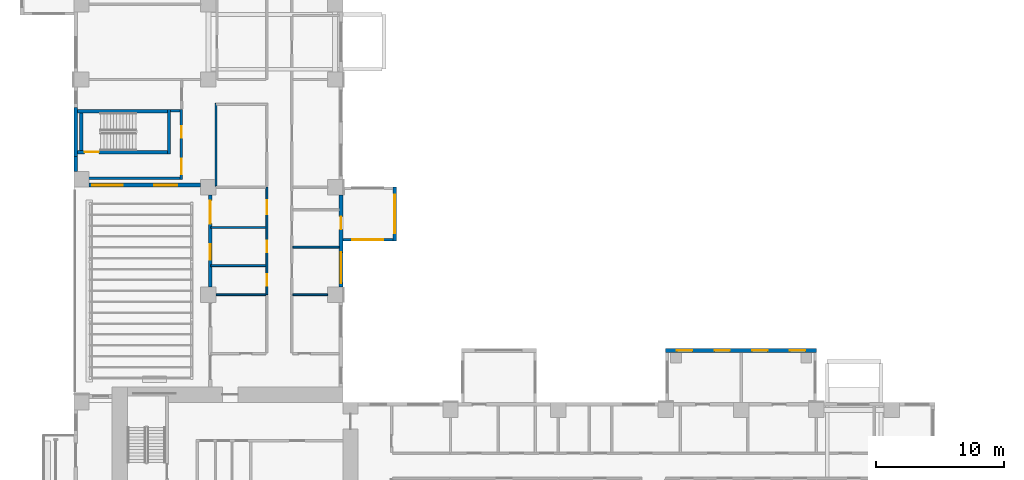
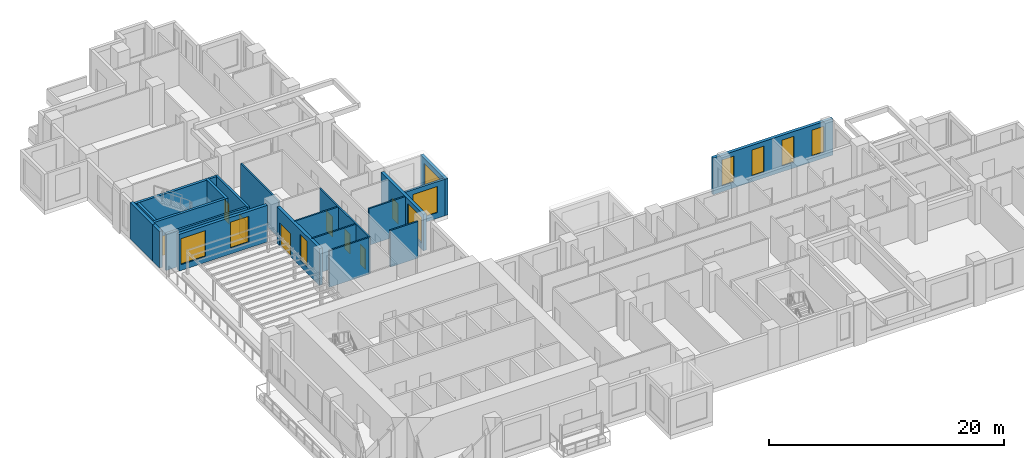
# One storey, part 8 of 17: 22 walls, 10 windows, 8 doors, 18 openings.
"""IFC4 building model written with IfcOpenShell, lengths in metres."""

from ifc_helpers import new_model, si_unit, direction, frame, frame_2d, origin, place, context, subcontext, project, spatial, rectangle, extrude, source, transform, mapped, material, layer, layer_set, type_object, element, fill, save


model = new_model("IFC4")

# Units and contexts
model_context = context("Model", 3, precision=1e-05, world=origin(), true_north=direction((0.0, 1.0)))
body_context = subcontext(model_context, "Body", "Model", "MODEL_VIEW")
ifc_project = project(units=[si_unit("LENGTHUNIT", "METRE"), si_unit("AREAUNIT", "SQUARE_METRE"), si_unit("VOLUMEUNIT", "CUBIC_METRE"), si_unit("PLANEANGLEUNIT", "RADIAN"), si_unit("MASSUNIT", "GRAM", prefix="KILO")], contexts=[model_context])

# Site, building, storey
site_placement = place(None, origin())
site = spatial("IfcSite", under=ifc_project, at=site_placement, CompositionType="ELEMENT")
building_placement = place(site_placement, origin())
building = spatial("IfcBuilding", under=site, at=building_placement, Name="Aurelian Terraces", CompositionType="ELEMENT")
storey_placement = place(building_placement, frame((0.0, 0.0, 69.9)))
storey = spatial("IfcBuildingStorey", under=building, at=storey_placement, Name="L14", CompositionType="ELEMENT", Elevation=69.9)

# Wall, openings, window, door
ifc_material_1 = material(Name="Terracotta rainscreen cladding", Category="masonry")
ifc_layer_1 = layer(ifc_material_1, 0.3)
ifc_layer_set_1 = layer_set([ifc_layer_1], Name="EW-300")
wall_type_1 = type_object("IfcWallType", Name="EW-300", PredefinedType="STANDARD", material=ifc_layer_set_1)
shared_shape_1 = source(origin(), body_context, "Body", "SweptSolid", [
    extrude(rectangle(XDim=7.2, YDim=0.3, at=frame_2d((3.6, 0.0))), origin(), (0.0, 0.0, 1.0), 3.8),
])
wall_1_placement = place(storey_placement, frame((20.85, 30.0, 0.0), z_axis=(0.0, 0.0, 1.0), x_axis=(0.0, 1.0, 0.0)))
wall_1 = element("IfcWall", 1, at=wall_1_placement, inside=storey, type_object=wall_type_1, Name="External wall L14 F08.23", PredefinedType="STANDARD", context=body_context, shape_type="MappedRepresentation", body=[
    mapped(shared_shape_1, transform((0.0, 0.0, 0.0), scale=1.0)),
])
shared_shape_2 = source(origin(), body_context, "Body", "SweptSolid", [
    extrude(rectangle(XDim=2.4, YDim=2.7, at=frame_2d((1.2, 1.35))), frame((0.0, 0.16, 0.0), z_axis=(0.0, -1.0, 0.0), x_axis=(1.0, 0.0, 0.0)), (0.0, 0.0, 1.0), 0.32),
])
opening_1_placement = place(wall_1_placement, frame((0.3, 0.0, 0.6)))
opening_1 = element("IfcOpeningElement", 2, at=opening_1_placement, cuts=wall_1, Name="Opening W2427", PredefinedType="OPENING", context=body_context, shape_type="MappedRepresentation", body=[
    mapped(shared_shape_2, transform((0.0, 0.0, 0.0), scale=1.0)),
])
shared_shape_3 = source(origin(), body_context, "Body", "SweptSolid", [
    extrude(rectangle(XDim=1.0, YDim=2.1, at=frame_2d((0.5, 1.05))), frame((0.0, 0.16, 0.0), z_axis=(0.0, -1.0, 0.0), x_axis=(1.0, 0.0, 0.0)), (0.0, 0.0, 1.0), 0.32),
])
opening_2_placement = place(wall_1_placement, frame((4.5, 0.0, 0.0)))
opening_2 = element("IfcOpeningElement", 3, at=opening_2_placement, cuts=wall_1, Name="Opening 814003", PredefinedType="OPENING", context=body_context, shape_type="MappedRepresentation", body=[
    mapped(shared_shape_3, transform((0.0, 0.0, 0.0), scale=1.0)),
])
ifc_material_2 = material(Name="Clear glazing", Category="glass")
window_type_1 = type_object("IfcWindowType", Name="W-2400x2700", PartitioningType="SINGLE_PANEL", PredefinedType="WINDOW", material=ifc_material_2)
shared_shape_4 = source(origin(), body_context, "Body", "SweptSolid", [
    extrude(rectangle(XDim=2.4, YDim=2.7, at=frame_2d((1.2, 1.35))), frame((0.0, 0.03, 0.0), z_axis=(0.0, -1.0, 0.0), x_axis=(1.0, 0.0, 0.0)), (0.0, 0.0, 1.0), 0.06),
])
window_1_placement = place(opening_1_placement, origin())
window_1 = element("IfcWindow", 4, at=window_1_placement, inside=storey, type_object=window_type_1, Name="Window L14 L14-F08-23-0", OverallHeight=2.7, OverallWidth=2.4, PartitioningType="SINGLE_PANEL", PredefinedType="WINDOW", context=body_context, shape_type="MappedRepresentation", body=[
    mapped(shared_shape_4, transform((0.0, 0.0, 0.0), scale=1.0)),
])
fill(opening_1, window_1)
ifc_material_3 = material(Name="Timber door leaf", Category="wood")
door_type_1 = type_object("IfcDoorType", Name="Room door 1000x2100 left", OperationType="SINGLE_SWING_LEFT", PredefinedType="DOOR", material=ifc_material_3)
shared_shape_5 = source(origin(), body_context, "Body", "SweptSolid", [
    extrude(rectangle(XDim=1.0, YDim=2.1, at=frame_2d((0.5, 1.05))), frame((0.0, 0.025, 0.0), z_axis=(0.0, -1.0, 0.0), x_axis=(1.0, 0.0, 0.0)), (0.0, 0.0, 1.0), 0.05),
])
door_1_placement = place(opening_2_placement, origin())
door_1 = element("IfcDoor", 5, at=door_1_placement, inside=storey, type_object=door_type_1, Name="Door 814003", OperationType="SINGLE_SWING_LEFT", OverallHeight=2.1, OverallWidth=1.0, PredefinedType="DOOR", context=body_context, shape_type="MappedRepresentation", body=[
    mapped(shared_shape_5, transform((0.0, 0.0, 0.0), scale=1.0)),
])
fill(opening_2, door_1)

# Wall, openings, door, window
wall_2_placement = place(storey_placement, frame((10.65, 37.2, 0.0), z_axis=(0.0, 0.0, 1.0), x_axis=(0.0, -1.0, 0.0)))
wall_2 = element("IfcWall", 6, at=wall_2_placement, inside=storey, type_object=wall_type_1, Name="External wall L14 F16.38", PredefinedType="STANDARD", context=body_context, shape_type="MappedRepresentation", body=[
    mapped(shared_shape_1, transform((0.0, 0.0, 0.0), scale=1.0)),
])
shared_shape_6 = source(origin(), body_context, "Body", "SweptSolid", [
    extrude(rectangle(XDim=1.8, YDim=2.4, at=frame_2d((0.9, 1.2))), frame((0.0, 0.16, 0.0), z_axis=(0.0, -1.0, 0.0), x_axis=(1.0, 0.0, 0.0)), (0.0, 0.0, 1.0), 0.32),
])
opening_3_placement = place(wall_2_placement, frame((0.45, 0.0, 0.0)))
opening_3 = element("IfcOpeningElement", 7, at=opening_3_placement, cuts=wall_2, Name="Opening 81404", PredefinedType="OPENING", context=body_context, shape_type="MappedRepresentation", body=[
    mapped(shared_shape_6, transform((0.0, 0.0, 0.0), scale=1.0)),
])
shared_shape_7 = source(origin(), body_context, "Body", "SweptSolid", [
    extrude(rectangle(XDim=1.2, YDim=2.7, at=frame_2d((0.6, 1.35))), frame((0.0, 0.16, 0.0), z_axis=(0.0, -1.0, 0.0), x_axis=(1.0, 0.0, 0.0)), (0.0, 0.0, 1.0), 0.32),
])
opening_4_placement = place(wall_2_placement, frame((3.8615, 0.0, 0.6)))
opening_4 = element("IfcOpeningElement", 8, at=opening_4_placement, cuts=wall_2, Name="Opening W1227", PredefinedType="OPENING", context=body_context, shape_type="MappedRepresentation", body=[
    mapped(shared_shape_7, transform((0.0, 0.0, 0.0), scale=1.0)),
])
door_type_2 = type_object("IfcDoorType", Name="BD-1800x2400", OperationType="SLIDING_TO_LEFT", PredefinedType="DOOR", material=ifc_material_2)
shared_shape_8 = source(origin(), body_context, "Body", "SweptSolid", [
    extrude(rectangle(XDim=1.8, YDim=2.4, at=frame_2d((0.9, 1.2))), frame((0.0, 0.025, 0.0), z_axis=(0.0, -1.0, 0.0), x_axis=(1.0, 0.0, 0.0)), (0.0, 0.0, 1.0), 0.05),
])
door_2_placement = place(opening_3_placement, origin())
door_2 = element("IfcDoor", 9, at=door_2_placement, inside=storey, type_object=door_type_2, Name="Terrace door L14 L14-F16-38.1", OperationType="SLIDING_TO_LEFT", OverallHeight=2.4, OverallWidth=1.8, PredefinedType="DOOR", context=body_context, shape_type="MappedRepresentation", body=[
    mapped(shared_shape_8, transform((0.0, 0.0, 0.0), scale=1.0)),
])
fill(opening_3, door_2)
window_type_2 = type_object("IfcWindowType", Name="W-1200x2700", PartitioningType="SINGLE_PANEL", PredefinedType="WINDOW", material=ifc_material_2)
shared_shape_9 = source(origin(), body_context, "Body", "SweptSolid", [
    extrude(rectangle(XDim=1.2, YDim=2.7, at=frame_2d((0.6, 1.35))), frame((0.0, 0.03, 0.0), z_axis=(0.0, -1.0, 0.0), x_axis=(1.0, 0.0, 0.0)), (0.0, 0.0, 1.0), 0.06),
])
window_2_placement = place(opening_4_placement, origin())
window_2 = element("IfcWindow", 10, at=window_2_placement, inside=storey, type_object=window_type_2, Name="Window L14 L14-F16-38-G0-30", OverallHeight=2.7, OverallWidth=1.2, PartitioningType="SINGLE_PANEL", PredefinedType="WINDOW", context=body_context, shape_type="MappedRepresentation", body=[
    mapped(shared_shape_9, transform((0.0, 0.0, 0.0), scale=1.0)),
])
fill(opening_4, window_2)

# Walls
shared_shape_10 = source(origin(), body_context, "Body", "SweptSolid", [
    extrude(rectangle(XDim=1.2, YDim=0.3, at=frame_2d((0.6, 0.0))), origin(), (0.0, 0.0, 1.0), 3.8),
])
wall_3_placement = place(storey_placement, frame((0.15, 40.2, 0.0), z_axis=(0.0, 0.0, 1.0), x_axis=(0.0, -1.0, 0.0)))
element("IfcWall", 11, at=wall_3_placement, inside=storey, type_object=wall_type_1, Name="External wall L14 F14.36", PredefinedType="STANDARD", context=body_context, shape_type="MappedRepresentation", body=[
    mapped(shared_shape_10, transform((0.0, 0.0, 0.0), scale=1.0)),
])
ifc_material_4 = material(Name="Concrete fc' 40 MPa", Category="concrete")
ifc_layer_2 = layer(ifc_material_4, 0.3)
ifc_layer_set_2 = layer_set([ifc_layer_2], Name="STAIR BAY WALL 300")
wall_type_2 = type_object("IfcWallType", Name="STAIR BAY WALL 300", PredefinedType="SOLIDWALL", material=ifc_layer_set_2)
shared_shape_11 = source(origin(), body_context, "Body", "SweptSolid", [
    extrude(rectangle(XDim=3.8, YDim=0.3, at=frame_2d((1.9, 0.0))), origin(), (0.0, 0.0, 1.0), 3.8),
])
wall_4_placement = place(storey_placement, frame((0.15, 44.0, 0.0), z_axis=(0.0, 0.0, 1.0), x_axis=(0.0, -1.0, 0.0)))
element("IfcWall", 12, at=wall_4_placement, inside=storey, type_object=wall_type_2, Name="Stair bay wall L14 F14.36", PredefinedType="SOLIDWALL", context=body_context, shape_type="MappedRepresentation", body=[
    mapped(shared_shape_11, transform((0.0, 0.0, 0.0), scale=1.0)),
])

# Wall, opening, window
ifc_layer_3 = layer(ifc_material_4, 0.2)
ifc_layer_set_3 = layer_set([ifc_layer_3], Name="BOX BEARING WALL 200")
wall_type_3 = type_object("IfcWallType", Name="BOX BEARING WALL 200", PredefinedType="SOLIDWALL", material=ifc_layer_set_3)
shared_shape_12 = source(origin(), body_context, "Body", "SweptSolid", [
    extrude(rectangle(XDim=3.9, YDim=0.2, at=frame_2d((1.95, 0.0))), origin(), (0.0, 0.0, 1.0), 3.8),
])
wall_5_placement = place(storey_placement, frame((21.0, 33.7, 0.0), z_axis=(0.0, 0.0, 1.0), x_axis=(1.0, 0.0, 0.0)))
wall_5 = element("IfcWall", 13, at=wall_5_placement, inside=storey, type_object=wall_type_3, Name="Box return L14 J14.1", PredefinedType="SOLIDWALL", context=body_context, shape_type="MappedRepresentation", body=[
    mapped(shared_shape_12, transform((0.0, 0.0, 0.0), scale=1.0)),
])
shared_shape_13 = source(origin(), body_context, "Body", "SweptSolid", [
    extrude(rectangle(XDim=2.4, YDim=2.7, at=frame_2d((1.2, 1.35))), frame((0.0, 0.11, 0.0), z_axis=(0.0, -1.0, 0.0), x_axis=(1.0, 0.0, 0.0)), (0.0, 0.0, 1.0), 0.22),
])
opening_5_placement = place(wall_5_placement, frame((0.75, 0.0, 0.6)))
opening_5 = element("IfcOpeningElement", 14, at=opening_5_placement, cuts=wall_5, Name="Opening W2427", PredefinedType="OPENING", context=body_context, shape_type="MappedRepresentation", body=[
    mapped(shared_shape_13, transform((0.0, 0.0, 0.0), scale=1.0)),
])
window_3_placement = place(opening_5_placement, origin())
window_3 = element("IfcWindow", 15, at=window_3_placement, inside=storey, type_object=window_type_1, Name="Window L14 J14-S1", OverallHeight=2.7, OverallWidth=2.4, PartitioningType="SINGLE_PANEL", PredefinedType="WINDOW", context=body_context, shape_type="MappedRepresentation", body=[
    mapped(shared_shape_4, transform((0.0, 0.0, 0.0), scale=1.0)),
])
fill(opening_5, window_3)

# Wall, openings, windows
shared_shape_14 = source(origin(), body_context, "Body", "SweptSolid", [
    extrude(rectangle(XDim=8.7, YDim=0.3, at=frame_2d((4.35, 0.0))), origin(), (0.0, 0.0, 1.0), 3.8),
])
wall_6_placement = place(storey_placement, frame((1.2, 37.95, 0.0), z_axis=(0.0, 0.0, 1.0), x_axis=(1.0, 0.0, 0.0)))
wall_6 = element("IfcWall", 16, at=wall_6_placement, inside=storey, type_object=wall_type_1, Name="External wall L14 F15.37", PredefinedType="STANDARD", context=body_context, shape_type="MappedRepresentation", body=[
    mapped(shared_shape_14, transform((0.0, 0.0, 0.0), scale=1.0)),
])
opening_6_placement = place(wall_6_placement, frame((0.225, 0.0, 0.6)))
opening_6 = element("IfcOpeningElement", 17, at=opening_6_placement, cuts=wall_6, Name="Opening W2427", PredefinedType="OPENING", context=body_context, shape_type="MappedRepresentation", body=[
    mapped(shared_shape_2, transform((0.0, 0.0, 0.0), scale=1.0)),
])
shared_shape_15 = source(origin(), body_context, "Body", "SweptSolid", [
    extrude(rectangle(XDim=1.8, YDim=2.7, at=frame_2d((0.9, 1.35))), frame((0.0, 0.16, 0.0), z_axis=(0.0, -1.0, 0.0), x_axis=(1.0, 0.0, 0.0)), (0.0, 0.0, 1.0), 0.32),
])
opening_7_placement = place(wall_6_placement, frame((5.0875, 0.0, 0.6)))
opening_7 = element("IfcOpeningElement", 18, at=opening_7_placement, cuts=wall_6, Name="Opening W1827", PredefinedType="OPENING", context=body_context, shape_type="MappedRepresentation", body=[
    mapped(shared_shape_15, transform((0.0, 0.0, 0.0), scale=1.0)),
])
window_4_placement = place(opening_6_placement, origin())
window_4 = element("IfcWindow", 19, at=window_4_placement, inside=storey, type_object=window_type_1, Name="Window L14 L14-F15-37-0", OverallHeight=2.7, OverallWidth=2.4, PartitioningType="SINGLE_PANEL", PredefinedType="WINDOW", context=body_context, shape_type="MappedRepresentation", body=[
    mapped(shared_shape_4, transform((0.0, 0.0, 0.0), scale=1.0)),
])
fill(opening_6, window_4)
window_type_3 = type_object("IfcWindowType", Name="W-1800x2700", PartitioningType="SINGLE_PANEL", PredefinedType="WINDOW", material=ifc_material_2)
shared_shape_16 = source(origin(), body_context, "Body", "SweptSolid", [
    extrude(rectangle(XDim=1.8, YDim=2.7, at=frame_2d((0.9, 1.35))), frame((0.0, 0.03, 0.0), z_axis=(0.0, -1.0, 0.0), x_axis=(1.0, 0.0, 0.0)), (0.0, 0.0, 1.0), 0.06),
])
window_5_placement = place(opening_7_placement, origin())
window_5 = element("IfcWindow", 20, at=window_5_placement, inside=storey, type_object=window_type_3, Name="Window L14 L14-F15-37-1", OverallHeight=2.7, OverallWidth=1.8, PartitioningType="SINGLE_PANEL", PredefinedType="WINDOW", context=body_context, shape_type="MappedRepresentation", body=[
    mapped(shared_shape_16, transform((0.0, 0.0, 0.0), scale=1.0)),
])
fill(opening_7, window_5)

ifc_layer_4 = layer(ifc_material_4, 0.3)
ifc_layer_set_4 = layer_set([ifc_layer_4], Name="BOX BEARING WALL 300")
wall_type_4 = type_object("IfcWallType", Name="BOX BEARING WALL 300", PredefinedType="SOLIDWALL", material=ifc_layer_set_4)
shared_shape_17 = source(origin(), body_context, "Body", "SweptSolid", [
    extrude(rectangle(XDim=11.76, YDim=0.3, at=frame_2d((5.88, 0.0))), origin(), (0.0, 0.0, 1.0), 3.79),
])
wall_7_placement = place(storey_placement, frame((57.96, 25.05, 0.0), z_axis=(0.0, 0.0, 1.0), x_axis=(-1.0, 0.0, 0.0)))
wall_7 = element("IfcWall", 21, at=wall_7_placement, inside=storey, type_object=wall_type_4, Name="Box wall L14 K01", PredefinedType="SOLIDWALL", context=body_context, shape_type="MappedRepresentation", body=[
    mapped(shared_shape_17, transform((0.0, 0.0, 0.0), scale=1.0)),
])
opening_8_placement = place(wall_7_placement, frame((0.87, 0.0, 0.6)))
opening_8 = element("IfcOpeningElement", 22, at=opening_8_placement, cuts=wall_7, Name="Opening W1227", PredefinedType="OPENING", context=body_context, shape_type="MappedRepresentation", body=[
    mapped(shared_shape_7, transform((0.0, 0.0, 0.0), scale=1.0)),
])
opening_9_placement = place(wall_7_placement, frame((3.81, 0.0, 0.6)))
opening_9 = element("IfcOpeningElement", 23, at=opening_9_placement, cuts=wall_7, Name="Opening W1227", PredefinedType="OPENING", context=body_context, shape_type="MappedRepresentation", body=[
    mapped(shared_shape_7, transform((0.0, 0.0, 0.0), scale=1.0)),
])
opening_10_placement = place(wall_7_placement, frame((6.75, 0.0, 0.6)))
opening_10 = element("IfcOpeningElement", 24, at=opening_10_placement, cuts=wall_7, Name="Opening W1227", PredefinedType="OPENING", context=body_context, shape_type="MappedRepresentation", body=[
    mapped(shared_shape_7, transform((0.0, 0.0, 0.0), scale=1.0)),
])
opening_11_placement = place(wall_7_placement, frame((9.69, 0.0, 0.6)))
opening_11 = element("IfcOpeningElement", 25, at=opening_11_placement, cuts=wall_7, Name="Opening W1227", PredefinedType="OPENING", context=body_context, shape_type="MappedRepresentation", body=[
    mapped(shared_shape_7, transform((0.0, 0.0, 0.0), scale=1.0)),
])
window_6_placement = place(opening_8_placement, origin())
window_6 = element("IfcWindow", 26, at=window_6_placement, inside=storey, type_object=window_type_2, Name="Window L14 K01-F1", OverallHeight=2.7, OverallWidth=1.2, PartitioningType="SINGLE_PANEL", PredefinedType="WINDOW", context=body_context, shape_type="MappedRepresentation", body=[
    mapped(shared_shape_9, transform((0.0, 0.0, 0.0), scale=1.0)),
])
fill(opening_8, window_6)
window_7_placement = place(opening_9_placement, origin())
window_7 = element("IfcWindow", 27, at=window_7_placement, inside=storey, type_object=window_type_2, Name="Window L14 K01-F2", OverallHeight=2.7, OverallWidth=1.2, PartitioningType="SINGLE_PANEL", PredefinedType="WINDOW", context=body_context, shape_type="MappedRepresentation", body=[
    mapped(shared_shape_9, transform((0.0, 0.0, 0.0), scale=1.0)),
])
fill(opening_9, window_7)
window_8_placement = place(opening_10_placement, origin())
window_8 = element("IfcWindow", 28, at=window_8_placement, inside=storey, type_object=window_type_2, Name="Window L14 K01-F3", OverallHeight=2.7, OverallWidth=1.2, PartitioningType="SINGLE_PANEL", PredefinedType="WINDOW", context=body_context, shape_type="MappedRepresentation", body=[
    mapped(shared_shape_9, transform((0.0, 0.0, 0.0), scale=1.0)),
])
fill(opening_10, window_8)
window_9_placement = place(opening_11_placement, origin())
window_9 = element("IfcWindow", 29, at=window_9_placement, inside=storey, type_object=window_type_2, Name="Window L14 K01-F4", OverallHeight=2.7, OverallWidth=1.2, PartitioningType="SINGLE_PANEL", PredefinedType="WINDOW", context=body_context, shape_type="MappedRepresentation", body=[
    mapped(shared_shape_9, transform((0.0, 0.0, 0.0), scale=1.0)),
])
fill(opening_11, window_9)

# Wall, opening, window
shared_shape_18 = source(origin(), body_context, "Body", "SweptSolid", [
    extrude(rectangle(XDim=4.2, YDim=0.3, at=frame_2d((2.1, 0.0))), origin(), (0.0, 0.0, 1.0), 3.8),
])
wall_8_placement = place(storey_placement, frame((25.05, 33.6, 0.0), z_axis=(0.0, 0.0, 1.0), x_axis=(0.0, 1.0, 0.0)))
wall_8 = element("IfcWall", 30, at=wall_8_placement, inside=storey, type_object=wall_type_4, Name="Box wall L14 J14", PredefinedType="SOLIDWALL", context=body_context, shape_type="MappedRepresentation", body=[
    mapped(shared_shape_18, transform((0.0, 0.0, 0.0), scale=1.0)),
])
shared_shape_19 = source(origin(), body_context, "Body", "SweptSolid", [
    extrude(rectangle(XDim=3.0, YDim=2.7, at=frame_2d((1.5, 1.35))), frame((0.0, 0.16, 0.0), z_axis=(0.0, -1.0, 0.0), x_axis=(1.0, 0.0, 0.0)), (0.0, 0.0, 1.0), 0.32),
])
opening_12_placement = place(wall_8_placement, frame((0.6, 0.0, 0.6)))
opening_12 = element("IfcOpeningElement", 31, at=opening_12_placement, cuts=wall_8, Name="Opening W3027", PredefinedType="OPENING", context=body_context, shape_type="MappedRepresentation", body=[
    mapped(shared_shape_19, transform((0.0, 0.0, 0.0), scale=1.0)),
])
window_type_4 = type_object("IfcWindowType", Name="W-3000x2700", PartitioningType="SINGLE_PANEL", PredefinedType="WINDOW", material=ifc_material_2)
shared_shape_20 = source(origin(), body_context, "Body", "SweptSolid", [
    extrude(rectangle(XDim=3.0, YDim=2.7, at=frame_2d((1.5, 1.35))), frame((0.0, 0.03, 0.0), z_axis=(0.0, -1.0, 0.0), x_axis=(1.0, 0.0, 0.0)), (0.0, 0.0, 1.0), 0.06),
])
window_10_placement = place(opening_12_placement, origin())
window_10 = element("IfcWindow", 32, at=window_10_placement, inside=storey, type_object=window_type_4, Name="Window L14 J14-F1", OverallHeight=2.7, OverallWidth=3.0, PartitioningType="SINGLE_PANEL", PredefinedType="WINDOW", context=body_context, shape_type="MappedRepresentation", body=[
    mapped(shared_shape_20, transform((0.0, 0.0, 0.0), scale=1.0)),
])
fill(opening_12, window_10)

# Wall, opening, door
ifc_layer_5 = layer(ifc_material_4, 0.25)
ifc_layer_set_5 = layer_set([ifc_layer_5], Name="Stair enclosure wall 250")
wall_type_5 = type_object("IfcWallType", Name="Stair enclosure wall 250", PredefinedType="SOLIDWALL", material=ifc_layer_set_5)
shared_shape_21 = source(origin(), body_context, "Body", "SweptSolid", [
    extrude(rectangle(XDim=7.0, YDim=0.25, at=frame_2d((3.5, 0.0))), origin(), (0.0, 0.0, 1.0), 3.8),
])
wall_9_placement = place(storey_placement, frame((0.3, 40.525, 0.0), z_axis=(0.0, 0.0, 1.0), x_axis=(1.0, 0.0, 0.0)))
wall_9 = element("IfcWall", 33, at=wall_9_placement, inside=storey, type_object=wall_type_5, Name="L14 core wall ST-S3-W", PredefinedType="SOLIDWALL", context=body_context, shape_type="MappedRepresentation", body=[
    mapped(shared_shape_21, transform((0.0, 0.0, 0.0), scale=1.0)),
])
shared_shape_22 = source(origin(), body_context, "Body", "SweptSolid", [
    extrude(rectangle(XDim=1.1, YDim=2.1, at=frame_2d((0.55, 1.05))), frame((0.0, 0.135, 0.0), z_axis=(0.0, -1.0, 0.0), x_axis=(1.0, 0.0, 0.0)), (0.0, 0.0, 1.0), 0.27),
])
opening_13_placement = place(wall_9_placement, frame((0.55, 0.0, 0.0)))
opening_13 = element("IfcOpeningElement", 34, at=opening_13_placement, cuts=wall_9, Name="Opening 61718", PredefinedType="OPENING", context=body_context, shape_type="MappedRepresentation", body=[
    mapped(shared_shape_22, transform((0.0, 0.0, 0.0), scale=1.0)),
])
ifc_material_5 = material(Name="Steel door leaf", Category="steel")
door_type_3 = type_object("IfcDoorType", Name="Core fire door 1100x2100 right", OperationType="SINGLE_SWING_RIGHT", PredefinedType="DOOR", material=ifc_material_5)
shared_shape_23 = source(origin(), body_context, "Body", "SweptSolid", [
    extrude(rectangle(XDim=1.1, YDim=2.1, at=frame_2d((0.55, 1.05))), frame((0.0, 0.025, 0.0), z_axis=(0.0, -1.0, 0.0), x_axis=(1.0, 0.0, 0.0)), (0.0, 0.0, 1.0), 0.05),
])
door_3_placement = place(opening_13_placement, origin())
door_3 = element("IfcDoor", 35, at=door_3_placement, inside=storey, type_object=door_type_3, Name="Stair door 61718", OperationType="SINGLE_SWING_RIGHT", OverallHeight=2.1, OverallWidth=1.1, PredefinedType="DOOR", context=body_context, shape_type="MappedRepresentation", body=[
    mapped(shared_shape_23, transform((0.0, 0.0, 0.0), scale=1.0)),
])
fill(opening_13, door_3)

# Walls
wall_10_placement = place(storey_placement, frame((0.3, 43.725, 0.0), z_axis=(0.0, 0.0, 1.0), x_axis=(1.0, 0.0, 0.0)))
element("IfcWall", 36, at=wall_10_placement, inside=storey, type_object=wall_type_5, Name="L14 core wall ST-S3-E", PredefinedType="SOLIDWALL", context=body_context, shape_type="MappedRepresentation", body=[
    mapped(shared_shape_21, transform((0.0, 0.0, 0.0), scale=1.0)),
])
shared_shape_24 = source(origin(), body_context, "Body", "SweptSolid", [
    extrude(rectangle(XDim=3.45, YDim=0.25, at=frame_2d((1.725, 0.0))), origin(), (0.0, 0.0, 1.0), 3.8),
])
wall_11_placement = place(storey_placement, frame((7.425, 40.4, 0.0), z_axis=(0.0, 0.0, 1.0), x_axis=(0.0, 1.0, 0.0)))
element("IfcWall", 37, at=wall_11_placement, inside=storey, type_object=wall_type_5, Name="L14 core wall ST-S3-N", PredefinedType="SOLIDWALL", context=body_context, shape_type="MappedRepresentation", body=[
    mapped(shared_shape_24, transform((0.0, 0.0, 0.0), scale=1.0)),
])
shared_shape_25 = source(origin(), body_context, "Body", "SweptSolid", [
    extrude(rectangle(XDim=2.95, YDim=0.25, at=frame_2d((1.475, 0.0))), origin(), (0.0, 0.0, 1.0), 3.8),
])
wall_12_placement = place(storey_placement, frame((0.575, 40.65, 0.0), z_axis=(0.0, 0.0, 1.0), x_axis=(0.0, 1.0, 0.0)))
element("IfcWall", 38, at=wall_12_placement, inside=storey, type_object=wall_type_5, Name="L14 core wall ST-S3-SS", PredefinedType="SOLIDWALL", context=body_context, shape_type="MappedRepresentation", body=[
    mapped(shared_shape_25, transform((0.0, 0.0, 0.0), scale=1.0)),
])
ifc_material_6 = material(Name="Gypsum board on steel studs", Category="steel")
ifc_layer_6 = layer(ifc_material_6, 0.2)
ifc_layer_set_6 = layer_set([ifc_layer_6], Name="Core partition 200")
wall_type_6 = type_object("IfcWallType", Name="Core partition 200", PredefinedType="PARTITIONING", material=ifc_layer_set_6)
shared_shape_26 = source(origin(), body_context, "Body", "SweptSolid", [
    extrude(rectangle(XDim=8.0, YDim=0.2, at=frame_2d((4.0, 0.0))), origin(), (0.0, 0.0, 1.0), 3.8),
])
wall_13_placement = place(storey_placement, frame((0.3, 38.5, 0.0), z_axis=(0.0, 0.0, 1.0), x_axis=(1.0, 0.0, 0.0)))
element("IfcWall", 39, at=wall_13_placement, inside=storey, type_object=wall_type_6, Name="L14 core wall ST-S3-VW", PredefinedType="PARTITIONING", context=body_context, shape_type="MappedRepresentation", body=[
    mapped(shared_shape_26, transform((0.0, 0.0, 0.0), scale=1.0)),
])

# Wall, openings, doors
shared_shape_27 = source(origin(), body_context, "Body", "SweptSolid", [
    extrude(rectangle(XDim=5.45, YDim=0.2, at=frame_2d((2.725, 0.0))), origin(), (0.0, 0.0, 1.0), 3.8),
])
wall_14_placement = place(storey_placement, frame((8.4, 38.4, 0.0), z_axis=(0.0, 0.0, 1.0), x_axis=(0.0, 1.0, 0.0)))
wall_14 = element("IfcWall", 40, at=wall_14_placement, inside=storey, type_object=wall_type_6, Name="L14 core wall ST-S3-BN", PredefinedType="PARTITIONING", context=body_context, shape_type="MappedRepresentation", body=[
    mapped(shared_shape_27, transform((0.0, 0.0, 0.0), scale=1.0)),
])
shared_shape_28 = source(origin(), body_context, "Body", "SweptSolid", [
    extrude(rectangle(XDim=1.2, YDim=2.1, at=frame_2d((0.6, 1.05))), frame((0.0, 0.11, 0.0), z_axis=(0.0, -1.0, 0.0), x_axis=(1.0, 0.0, 0.0)), (0.0, 0.0, 1.0), 0.22),
])
opening_14_placement = place(wall_14_placement, frame((0.4, 0.0, 0.0)))
opening_14 = element("IfcOpeningElement", 41, at=opening_14_placement, cuts=wall_14, Name="Opening 61719", PredefinedType="OPENING", context=body_context, shape_type="MappedRepresentation", body=[
    mapped(shared_shape_28, transform((0.0, 0.0, 0.0), scale=1.0)),
])
shared_shape_29 = source(origin(), body_context, "Body", "SweptSolid", [
    extrude(rectangle(XDim=0.9, YDim=2.1, at=frame_2d((0.45, 1.05))), frame((0.0, 0.11, 0.0), z_axis=(0.0, -1.0, 0.0), x_axis=(1.0, 0.0, 0.0)), (0.0, 0.0, 1.0), 0.22),
])
opening_15_placement = place(wall_14_placement, frame((3.25, 0.0, 0.0)))
opening_15 = element("IfcOpeningElement", 42, at=opening_15_placement, cuts=wall_14, Name="Opening 61720", PredefinedType="OPENING", context=body_context, shape_type="MappedRepresentation", body=[
    mapped(shared_shape_29, transform((0.0, 0.0, 0.0), scale=1.0)),
])
door_type_4 = type_object("IfcDoorType", Name="Core riser door 900x2100 right", OperationType="SINGLE_SWING_RIGHT", PredefinedType="DOOR", material=ifc_material_5)
shared_shape_30 = source(origin(), body_context, "Body", "SweptSolid", [
    extrude(rectangle(XDim=0.9, YDim=2.1, at=frame_2d((0.45, 1.05))), frame((0.0, 0.025, 0.0), z_axis=(0.0, -1.0, 0.0), x_axis=(1.0, 0.0, 0.0)), (0.0, 0.0, 1.0), 0.05),
])
door_4_placement = place(opening_15_placement, origin())
door_4 = element("IfcDoor", 43, at=door_4_placement, inside=storey, type_object=door_type_4, Name="Riser door 61720", OperationType="SINGLE_SWING_RIGHT", OverallHeight=2.1, OverallWidth=0.9, PredefinedType="DOOR", context=body_context, shape_type="MappedRepresentation", body=[
    mapped(shared_shape_30, transform((0.0, 0.0, 0.0), scale=1.0)),
])
fill(opening_15, door_4)
door_type_5 = type_object("IfcDoorType", Name="Core fire door 1200x2100", OperationType="SINGLE_SWING_LEFT", PredefinedType="DOOR", material=ifc_material_5)
shared_shape_31 = source(origin(), body_context, "Body", "SweptSolid", [
    extrude(rectangle(XDim=1.2, YDim=2.1, at=frame_2d((0.6, 1.05))), frame((0.0, 0.025, 0.0), z_axis=(0.0, -1.0, 0.0), x_axis=(1.0, 0.0, 0.0)), (0.0, 0.0, 1.0), 0.05),
])
door_5_placement = place(opening_14_placement, origin())
door_5 = element("IfcDoor", 44, at=door_5_placement, inside=storey, type_object=door_type_5, Name="Vestibule door 61719", OperationType="SINGLE_SWING_LEFT", OverallHeight=2.1, OverallWidth=1.2, PredefinedType="DOOR", context=body_context, shape_type="MappedRepresentation", body=[
    mapped(shared_shape_31, transform((0.0, 0.0, 0.0), scale=1.0)),
])
fill(opening_14, door_5)

# Walls
shared_shape_32 = source(origin(), body_context, "Body", "SweptSolid", [
    extrude(rectangle(XDim=0.75, YDim=0.2, at=frame_2d((0.375, 0.0))), origin(), (0.0, 0.0, 1.0), 3.8),
])
wall_15_placement = place(storey_placement, frame((7.55, 43.75, 0.0), z_axis=(0.0, 0.0, 1.0), x_axis=(1.0, 0.0, 0.0)))
element("IfcWall", 45, at=wall_15_placement, inside=storey, type_object=wall_type_6, Name="L14 core wall ST-S3-RE", PredefinedType="PARTITIONING", context=body_context, shape_type="MappedRepresentation", body=[
    mapped(shared_shape_32, transform((0.0, 0.0, 0.0), scale=1.0)),
])
ifc_layer_7 = layer(ifc_material_6, 0.15)
ifc_layer_set_7 = layer_set([ifc_layer_7], Name="Partition 150")
wall_type_7 = type_object("IfcWallType", Name="Partition 150", PredefinedType="PARTITIONING", material=ifc_layer_set_7)
shared_shape_33 = source(origin(), body_context, "Body", "SweptSolid", [
    extrude(rectangle(XDim=6.45, YDim=0.15, at=frame_2d((3.225, 0.0))), origin(), (0.0, 0.0, 1.0), 3.8),
])
wall_16_placement = place(storey_placement, frame((11.1, 44.325, 0.0), z_axis=(0.0, 0.0, 1.0), x_axis=(0.0, -1.0, 0.0)))
element("IfcWall", 46, at=wall_16_placement, inside=storey, type_object=wall_type_7, Name="Partition", PredefinedType="PARTITIONING", context=body_context, shape_type="MappedRepresentation", body=[
    mapped(shared_shape_33, transform((0.0, 0.0, 0.0), scale=1.0)),
])
shared_shape_34 = source(origin(), body_context, "Body", "SweptSolid", [
    extrude(rectangle(XDim=3.6, YDim=0.15, at=frame_2d((1.8, 0.0))), origin(), (0.0, 0.0, 1.0), 3.8),
])
wall_17_placement = place(storey_placement, frame((17.1, 33.1133, 0.0), z_axis=(0.0, 0.0, 1.0), x_axis=(1.0, 0.0, 0.0)))
element("IfcWall", 47, at=wall_17_placement, inside=storey, type_object=wall_type_7, Name="Partition", PredefinedType="PARTITIONING", context=body_context, shape_type="MappedRepresentation", body=[
    mapped(shared_shape_34, transform((0.0, 0.0, 0.0), scale=1.0)),
])
shared_shape_35 = source(origin(), body_context, "Body", "SweptSolid", [
    extrude(rectangle(XDim=2.701, YDim=0.15, at=frame_2d((1.3505, 0.0))), origin(), (0.0, 0.0, 1.0), 3.8),
])
wall_18_placement = place(storey_placement, frame((19.801, 29.4, 0.0), z_axis=(0.0, 0.0, 1.0), x_axis=(-1.0, 0.0, 0.0)))
element("IfcWall", 48, at=wall_18_placement, inside=storey, type_object=wall_type_7, Name="Partition", PredefinedType="PARTITIONING", context=body_context, shape_type="MappedRepresentation", body=[
    mapped(shared_shape_35, transform((0.0, 0.0, 0.0), scale=1.0)),
])

# Wall, openings, doors
ifc_layer_8 = layer(ifc_material_6, 0.15)
ifc_layer_set_8 = layer_set([ifc_layer_8], Name="Fire partition 150")
wall_type_8 = type_object("IfcWallType", Name="Fire partition 150", PredefinedType="PARTITIONING", material=ifc_layer_set_8)
shared_shape_36 = source(origin(), body_context, "Body", "SweptSolid", [
    extrude(rectangle(XDim=8.4, YDim=0.15, at=frame_2d((4.2, 0.0))), origin(), (0.0, 0.0, 1.0), 3.8),
])
wall_19_placement = place(storey_placement, frame((15.075, 29.4, 0.0), z_axis=(0.0, 0.0, 1.0), x_axis=(0.0, 1.0, 0.0)))
wall_19 = element("IfcWall", 49, at=wall_19_placement, inside=storey, type_object=wall_type_8, Name="Corridor wall", PredefinedType="PARTITIONING", context=body_context, shape_type="MappedRepresentation", body=[
    mapped(shared_shape_36, transform((0.0, 0.0, 0.0), scale=1.0)),
])
shared_shape_37 = source(origin(), body_context, "Body", "SweptSolid", [
    extrude(rectangle(XDim=1.1, YDim=2.1, at=frame_2d((0.55, 1.05))), frame((0.0, 0.085, 0.0), z_axis=(0.0, -1.0, 0.0), x_axis=(1.0, 0.0, 0.0)), (0.0, 0.0, 1.0), 0.17),
])
opening_16_placement = place(wall_19_placement, frame((6.2742, 0.0, 0.0)))
opening_16 = element("IfcOpeningElement", 50, at=opening_16_placement, cuts=wall_19, Name="Opening 714034", PredefinedType="OPENING", context=body_context, shape_type="MappedRepresentation", body=[
    mapped(shared_shape_37, transform((0.0, 0.0, 0.0), scale=1.0)),
])
shared_shape_38 = source(origin(), body_context, "Body", "SweptSolid", [
    extrude(rectangle(XDim=0.9, YDim=2.1, at=frame_2d((0.45, 1.05))), frame((0.0, 0.085, 0.0), z_axis=(0.0, -1.0, 0.0), x_axis=(1.0, 0.0, 0.0)), (0.0, 0.0, 1.0), 0.17),
])
opening_17_placement = place(wall_19_placement, frame((0.6885, 0.0, 0.0)))
opening_17 = element("IfcOpeningElement", 51, at=opening_17_placement, cuts=wall_19, Name="Opening 714035", PredefinedType="OPENING", context=body_context, shape_type="MappedRepresentation", body=[
    mapped(shared_shape_38, transform((0.0, 0.0, 0.0), scale=1.0)),
])
opening_18_placement = place(wall_19_placement, frame((3.3128, 0.0, 0.0)))
opening_18 = element("IfcOpeningElement", 52, at=opening_18_placement, cuts=wall_19, Name="Opening 714036", PredefinedType="OPENING", context=body_context, shape_type="MappedRepresentation", body=[
    mapped(shared_shape_38, transform((0.0, 0.0, 0.0), scale=1.0)),
])
door_type_6 = type_object("IfcDoorType", Name="Room door 900x2100 left", OperationType="SINGLE_SWING_LEFT", PredefinedType="DOOR", material=ifc_material_3)
door_6_placement = place(opening_17_placement, origin())
door_6 = element("IfcDoor", 53, at=door_6_placement, inside=storey, type_object=door_type_6, Name="Door 714035", OperationType="SINGLE_SWING_LEFT", OverallHeight=2.1, OverallWidth=0.9, PredefinedType="DOOR", context=body_context, shape_type="MappedRepresentation", body=[
    mapped(shared_shape_30, transform((0.0, 0.0, 0.0), scale=1.0)),
])
fill(opening_17, door_6)
door_type_7 = type_object("IfcDoorType", Name="Room door 900x2100 right", OperationType="SINGLE_SWING_RIGHT", PredefinedType="DOOR", material=ifc_material_3)
door_7_placement = place(opening_18_placement, origin())
door_7 = element("IfcDoor", 54, at=door_7_placement, inside=storey, type_object=door_type_7, Name="Door 714036", OperationType="SINGLE_SWING_RIGHT", OverallHeight=2.1, OverallWidth=0.9, PredefinedType="DOOR", context=body_context, shape_type="MappedRepresentation", body=[
    mapped(shared_shape_30, transform((0.0, 0.0, 0.0), scale=1.0)),
])
fill(opening_18, door_7)
door_type_8 = type_object("IfcDoorType", Name="Room door 1100x2100 left", OperationType="SINGLE_SWING_LEFT", PredefinedType="DOOR", material=ifc_material_3)
door_8_placement = place(opening_16_placement, origin())
door_8 = element("IfcDoor", 55, at=door_8_placement, inside=storey, type_object=door_type_8, Name="Door 714034", OperationType="SINGLE_SWING_LEFT", OverallHeight=2.1, OverallWidth=1.1, PredefinedType="DOOR", context=body_context, shape_type="MappedRepresentation", body=[
    mapped(shared_shape_23, transform((0.0, 0.0, 0.0), scale=1.0)),
])
fill(opening_16, door_8)

# Walls
shared_shape_39 = source(origin(), body_context, "Body", "SweptSolid", [
    extrude(rectangle(XDim=3.901, YDim=0.15, at=frame_2d((1.9505, 0.0))), origin(), (0.0, 0.0, 1.0), 3.8),
])
wall_20_placement = place(storey_placement, frame((15.0, 29.4, 0.0), z_axis=(0.0, 0.0, 1.0), x_axis=(-1.0, 0.0, 0.0)))
element("IfcWall", 56, at=wall_20_placement, inside=storey, type_object=wall_type_7, Name="Partition", PredefinedType="PARTITIONING", context=body_context, shape_type="MappedRepresentation", body=[
    mapped(shared_shape_39, transform((0.0, 0.0, 0.0), scale=1.0)),
])
shared_shape_40 = source(origin(), body_context, "Body", "SweptSolid", [
    extrude(rectangle(XDim=4.295, YDim=0.15, at=frame_2d((2.1475, 0.0))), origin(), (0.0, 0.0, 1.0), 3.8),
])
for number, where, z_axis, x_axis, name in (
    (57, (15.0, 31.677, 0.0), (0.0, 0.0, 1.0), (-1.0, 0.0, 0.0), "Partition"),
    (58, (15.0, 34.6485, 0.0), (0.0, 0.0, 1.0), (-1.0, 0.0, 0.0), "Partition"),
):
    element("IfcWall", number, at=place(storey_placement, frame(where, z_axis=z_axis, x_axis=x_axis)), inside=storey, type_object=wall_type_7, Name=name, PredefinedType="PARTITIONING", context=body_context, shape_type="MappedRepresentation", body=[
        mapped(shared_shape_40, transform((0.0, 0.0, 0.0), scale=1.0)),
    ])

save(model, "model.ifc")
